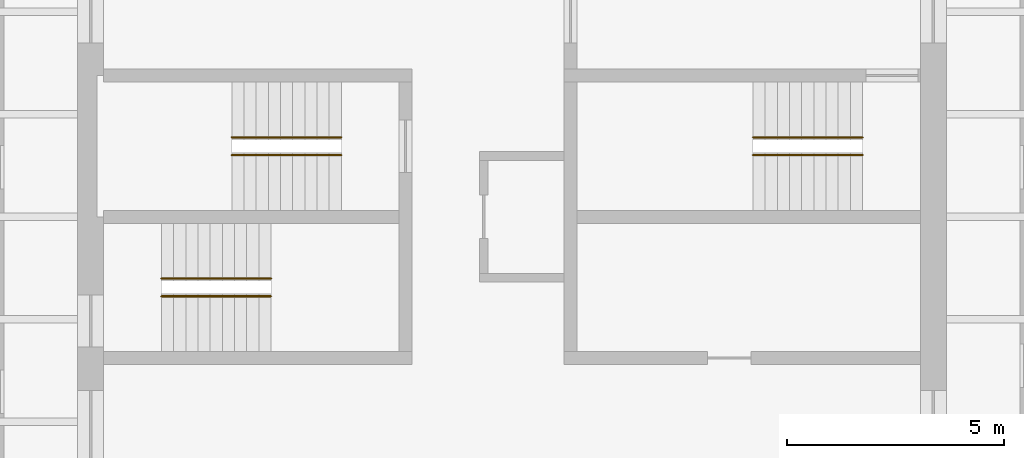
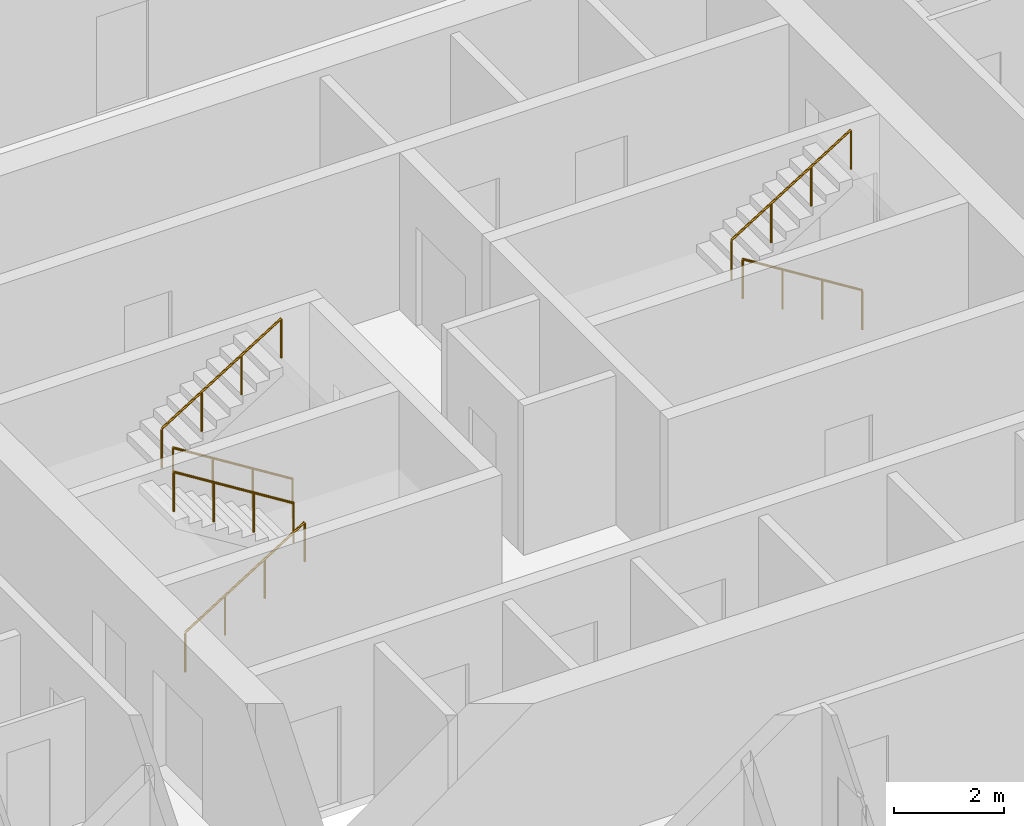
# One storey, part 8 of 8: 6 railings.
"""IFC4 building model written with IfcOpenShell, lengths in metres."""

from ifc_helpers import new_model, si_unit, direction, frame, origin, origin_2d, place, context, subcontext, project, spatial, circle, extrude, material, type_object, element, save


model = new_model("IFC4")

# Units and contexts
model_context = context("Model", 3, precision=1e-05, world=origin(), true_north=direction((0.0, 1.0)))
body_context = subcontext(model_context, "Body", "Model", "MODEL_VIEW")
ifc_project = project(units=[si_unit("LENGTHUNIT", "METRE"), si_unit("AREAUNIT", "SQUARE_METRE"), si_unit("VOLUMEUNIT", "CUBIC_METRE"), si_unit("PLANEANGLEUNIT", "RADIAN"), si_unit("MASSUNIT", "GRAM", prefix="KILO")], contexts=[model_context])

# Site, building, storey
site_placement = place(None, origin())
site = spatial("IfcSite", under=ifc_project, at=site_placement, CompositionType="ELEMENT")
building_placement = place(site_placement, origin())
building = spatial("IfcBuilding", under=site, at=building_placement, Name="Turquesa Mirador Hotel Tower", CompositionType="ELEMENT")
storey_placement = place(building_placement, frame((0.0, 0.0, 196.800048828125)))
storey = spatial("IfcBuildingStorey", under=building, at=storey_placement, Name="L53", CompositionType="ELEMENT", Elevation=196.800048828125)

# Railings
ifc_material = material(Name="Painted steel handrail", Category="steel")
railing_type = type_object("IfcRailingType", Name="HANDRAIL 900 STEEL", PredefinedType="HANDRAIL", material=ifc_material)
railing_1_placement = place(storey_placement, frame((51.070068359375, 46.419921875, 0.175048828125)))
element("IfcRailing", 1, at=railing_1_placement, inside=storey, type_object=railing_type, Name="Handrail ST1", PredefinedType="HANDRAIL", context=body_context, shape_type="SweptSolid", body=[
    extrude(circle(Radius=0.02392578125, at=origin_2d()), frame((0.0, 0.0, 0.8759765625), z_axis=(-0.848007534815, 0.0, 0.529984170421), x_axis=(0.0, -1.0, 0.0)), (0.0, 0.0, 1.0), 2.9716796875),
    extrude(circle(Radius=0.02099609375, at=origin_2d()), origin(), (0.0, 0.0, 1.0), 0.851806640625),
    extrude(circle(Radius=0.02099609375, at=origin_2d()), frame((-0.840087890625, 0.0, 0.52490234375)), (0.0, 0.0, 1.0), 0.851806640625),
    extrude(circle(Radius=0.02099609375, at=origin_2d()), frame((-1.679931640625, 0.0, 1.050048828125)), (0.0, 0.0, 1.0), 0.851806640625),
    extrude(circle(Radius=0.02099609375, at=origin_2d()), frame((-2.52001953125, 0.0, 1.574951171875)), (0.0, 0.0, 1.0), 0.851806640625),
])
for number, where, name in (
    (2, (48.550048828125, 46.830078125, 1.925048828125), "Handrail ST1"),
    (3, (46.929931640625, 43.169921875, 0.175048828125), "Handrail ST2"),
):
    element("IfcRailing", number, at=place(storey_placement, frame(where)), inside=storey, type_object=railing_type, Name=name, PredefinedType="HANDRAIL", context=body_context, shape_type="SweptSolid", body=[
        extrude(circle(Radius=0.02392578125, at=origin_2d()), frame((0.0, 0.0, 0.8759765625), z_axis=(0.848007534815, 0.0, 0.529984170421), x_axis=(0.0, 1.0, 0.0)), (0.0, 0.0, 1.0), 2.9716796875),
        extrude(circle(Radius=0.02099609375, at=origin_2d()), origin(), (0.0, 0.0, 1.0), 0.851806640625),
        extrude(circle(Radius=0.02099609375, at=origin_2d()), frame((0.840087890625, 0.0, 0.52490234375)), (0.0, 0.0, 1.0), 0.851806640625),
        extrude(circle(Radius=0.02099609375, at=origin_2d()), frame((1.679931640625, 0.0, 1.050048828125)), (0.0, 0.0, 1.0), 0.851806640625),
        extrude(circle(Radius=0.02099609375, at=origin_2d()), frame((2.52001953125, 0.0, 1.574951171875)), (0.0, 0.0, 1.0), 0.851806640625),
    ])
for number, where, name in (
    (4, (49.449951171875, 43.580078125, 1.925048828125), "Handrail ST2"),
    (5, (63.070068359375, 46.419921875, 0.175048828125), "Handrail ST3"),
):
    element("IfcRailing", number, at=place(storey_placement, frame(where)), inside=storey, type_object=railing_type, Name=name, PredefinedType="HANDRAIL", context=body_context, shape_type="SweptSolid", body=[
        extrude(circle(Radius=0.02392578125, at=origin_2d()), frame((0.0, 0.0, 0.8759765625), z_axis=(-0.848007534815, 0.0, 0.529984170421), x_axis=(0.0, -1.0, 0.0)), (0.0, 0.0, 1.0), 2.9716796875),
        extrude(circle(Radius=0.02099609375, at=origin_2d()), origin(), (0.0, 0.0, 1.0), 0.851806640625),
        extrude(circle(Radius=0.02099609375, at=origin_2d()), frame((-0.840087890625, 0.0, 0.52490234375)), (0.0, 0.0, 1.0), 0.851806640625),
        extrude(circle(Radius=0.02099609375, at=origin_2d()), frame((-1.679931640625, 0.0, 1.050048828125)), (0.0, 0.0, 1.0), 0.851806640625),
        extrude(circle(Radius=0.02099609375, at=origin_2d()), frame((-2.52001953125, 0.0, 1.574951171875)), (0.0, 0.0, 1.0), 0.851806640625),
    ])
railing_2_placement = place(storey_placement, frame((60.550048828125, 46.830078125, 1.925048828125)))
element("IfcRailing", 6, at=railing_2_placement, inside=storey, type_object=railing_type, Name="Handrail ST3", PredefinedType="HANDRAIL", context=body_context, shape_type="SweptSolid", body=[
    extrude(circle(Radius=0.02392578125, at=origin_2d()), frame((0.0, 0.0, 0.8759765625), z_axis=(0.848007534815, 0.0, 0.529984170421), x_axis=(0.0, 1.0, 0.0)), (0.0, 0.0, 1.0), 2.9716796875),
    extrude(circle(Radius=0.02099609375, at=origin_2d()), origin(), (0.0, 0.0, 1.0), 0.851806640625),
    extrude(circle(Radius=0.02099609375, at=origin_2d()), frame((0.840087890625, 0.0, 0.52490234375)), (0.0, 0.0, 1.0), 0.851806640625),
    extrude(circle(Radius=0.02099609375, at=origin_2d()), frame((1.679931640625, 0.0, 1.050048828125)), (0.0, 0.0, 1.0), 0.851806640625),
    extrude(circle(Radius=0.02099609375, at=origin_2d()), frame((2.52001953125, 0.0, 1.574951171875)), (0.0, 0.0, 1.0), 0.851806640625),
])

save(model, "model.ifc")
